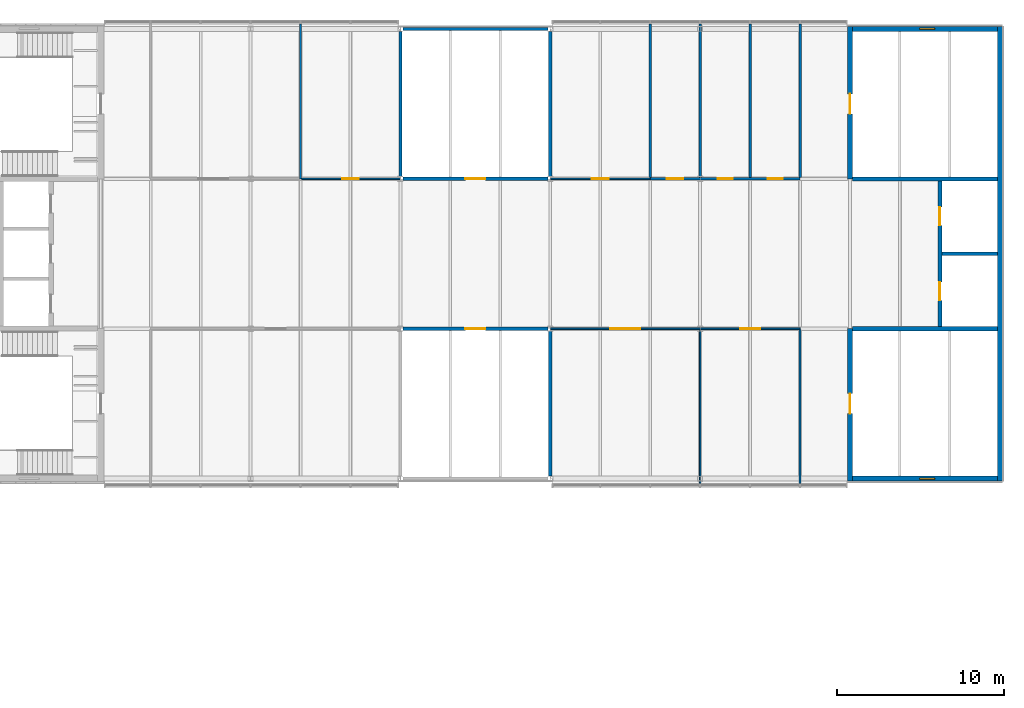
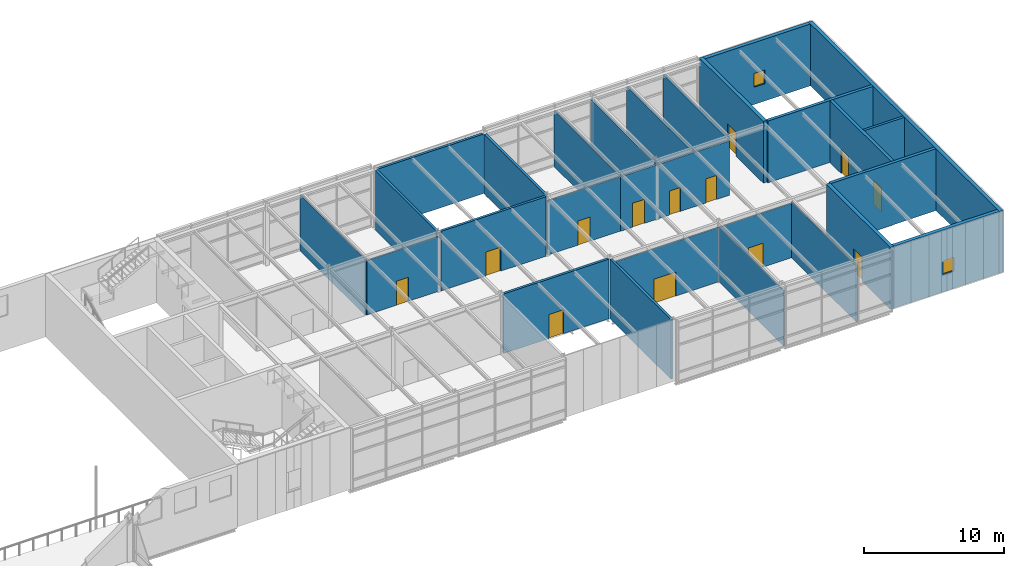
# One storey, part 39 of 46: 26 walls, 13 doors, 2 windows, 15 openings.
"""IFC4 building model written with IfcOpenShell, lengths in metres."""

from ifc_helpers import new_model, si_unit, direction, frame, frame_2d, origin, place, context, subcontext, project, spatial, rectangle, extrude, material, layer, layer_set, type_object, element, fill, save


model = new_model("IFC4")

# Units and contexts
model_context = context("Model", 3, precision=1e-05, world=origin(), true_north=direction((0.0, 1.0)))
body_context = subcontext(model_context, "Body", "Model", "MODEL_VIEW")
ifc_project = project(units=[si_unit("LENGTHUNIT", "METRE"), si_unit("AREAUNIT", "SQUARE_METRE"), si_unit("VOLUMEUNIT", "CUBIC_METRE"), si_unit("PLANEANGLEUNIT", "RADIAN"), si_unit("MASSUNIT", "GRAM", prefix="KILO")], contexts=[model_context])

# Site, building, storey
site_placement = place(None, origin())
site = spatial("IfcSite", under=ifc_project, at=site_placement, CompositionType="ELEMENT")
building_placement = place(site_placement, origin())
building = spatial("IfcBuilding", under=site, at=building_placement, Name="Azimuth Sports and Learning Centre", CompositionType="ELEMENT")
storey_placement = place(building_placement, frame((0.0, 0.0, 21.60009765625)))
storey = spatial("IfcBuildingStorey", under=building, at=storey_placement, Name="L04", CompositionType="ELEMENT", Elevation=21.60009765625)

# Wall
ifc_material_1 = material(Name="Dense masonry blockwork", Category="masonry")
ifc_layer_1 = layer(ifc_material_1, 0.199951171875)
ifc_layer_set_1 = layer_set([ifc_layer_1], Name="Dense masonry blockwork")
wall_type_1 = type_object("IfcWallType", Name="Blockwork wall 200 EI 120", PredefinedType="SOLIDWALL", material=ifc_layer_set_1)
wall_1_placement = place(storey_placement, frame((167.52490234375, 103.5, 0.0), z_axis=(0.0, 0.0, 1.0), x_axis=(1.0, 0.0, 0.0)))
element("IfcWall", 1, at=wall_1_placement, inside=storey, type_object=wall_type_1, Name="SD-EW-1-L04", PredefinedType="SOLIDWALL", context=body_context, shape_type="SweptSolid", body=[
    extrude(rectangle(XDim=3.3251953125, YDim=0.199951171875, at=frame_2d((1.66259765625, 0.0))), origin(), (0.0, 0.0, 1.0), 5.39990234375),
])

# Wall, openings, doors
ifc_material_2 = material(Name="Gypsum board on steel studs", Category="steel")
ifc_layer_2 = layer(ifc_material_2, 0.10009765625)
ifc_layer_set_2 = layer_set([ifc_layer_2], Name="Gypsum board on steel studs")
wall_type_2 = type_object("IfcWallType", Name="Partition 100 EI 30", PredefinedType="PARTITIONING", material=ifc_layer_set_2)
wall_2_placement = place(storey_placement, frame((144.0, 99.0, 0.0), z_axis=(0.0, 0.0, 1.0), x_axis=(1.0, 0.0, 0.0)))
wall_2 = element("IfcWall", 2, at=wall_2_placement, inside=storey, type_object=wall_type_2, Name="Partition 100 EI 30", PredefinedType="PARTITIONING", context=body_context, shape_type="SweptSolid", body=[
    extrude(rectangle(XDim=15.0, YDim=0.10009765625, at=frame_2d((7.5, 0.0))), origin(), (0.0, 0.0, 1.0), 4.75),
])
opening_1_placement = place(wall_2_placement, frame((11.39990234375, 0.0, 0.0)))
opening_1 = element("IfcOpeningElement", 3, at=opening_1_placement, cuts=wall_2, Name="Opening D04-039", PredefinedType="OPENING", context=body_context, shape_type="SweptSolid", body=[
    extrude(rectangle(XDim=1.199951171875, YDim=2.10009765625, at=frame_2d((0.60009765625, 1.050048828125))), frame((0.0, 0.06103515625, 0.0), z_axis=(0.0, -1.0, 0.0), x_axis=(1.0, 0.0, 0.0)), (0.0, 0.0, 1.0), 0.1220703125),
])
opening_2_placement = place(wall_2_placement, frame((3.60009765625, 0.0, 0.0)))
opening_2 = element("IfcOpeningElement", 4, at=opening_2_placement, cuts=wall_2, Name="Opening D04-040", PredefinedType="OPENING", context=body_context, shape_type="SweptSolid", body=[
    extrude(rectangle(XDim=1.800048828125, YDim=2.10009765625, at=frame_2d((0.89990234375, 1.050048828125))), frame((0.0, 0.06103515625, 0.0), z_axis=(0.0, -1.0, 0.0), x_axis=(1.0, 0.0, 0.0)), (0.0, 0.0, 1.0), 0.1220703125),
])
ifc_material_3 = material(Name="Timber fire door set", Category="wood")
door_type_1 = type_object("IfcDoorType", Name="Timber door double 1800x2100 FD30S", OperationType="DOUBLE_DOOR_SINGLE_SWING", PredefinedType="DOOR", material=ifc_material_3)
door_1_placement = place(opening_2_placement, frame((1.800048828125, 0.0, 0.0), z_axis=(0.0, 0.0, 1.0), x_axis=(-1.0, 0.0, 0.0)))
door_1 = element("IfcDoor", 5, at=door_1_placement, inside=storey, type_object=door_type_1, Name="Door D04-040", OperationType="DOUBLE_DOOR_SINGLE_SWING", OverallHeight=2.10009765625, OverallWidth=1.800048828125, PredefinedType="DOOR", context=body_context, shape_type="SweptSolid", body=[
    extrude(rectangle(XDim=1.800048828125, YDim=2.10009765625, at=frame_2d((0.89990234375, 1.050048828125))), frame((0.0, 0.02490234375, 0.0), z_axis=(0.0, -1.0, 0.0), x_axis=(1.0, 0.0, 0.0)), (0.0, 0.0, 1.0), 0.050048828125),
])
fill(opening_2, door_1)
ifc_material_4 = material(Name="Timber fire door set", Category="wood")
door_type_2 = type_object("IfcDoorType", Name="Timber door single 1200x2100 FD30S", OperationType="NOTDEFINED", PredefinedType="DOOR", material=ifc_material_4)
door_2_placement = place(opening_1_placement, frame((1.199951171875, 0.0, 0.0), z_axis=(0.0, 0.0, 1.0), x_axis=(-1.0, 0.0, 0.0)))
door_2 = element("IfcDoor", 6, at=door_2_placement, inside=storey, type_object=door_type_2, Name="Door D04-039", OperationType="SINGLE_SWING_RIGHT", OverallHeight=2.10009765625, OverallWidth=1.199951171875, PredefinedType="DOOR", context=body_context, shape_type="SweptSolid", body=[
    extrude(rectangle(XDim=1.199951171875, YDim=2.10009765625, at=frame_2d((0.60009765625, 1.050048828125))), frame((0.0, 0.02490234375, 0.0), z_axis=(0.0, -1.0, 0.0), x_axis=(1.0, 0.0, 0.0)), (0.0, 0.0, 1.0), 0.050048828125),
])
fill(opening_1, door_2)

# Wall, opening, door
wall_3_placement = place(storey_placement, frame((129.0625, 108.0, 0.0), z_axis=(0.0, 0.0, 1.0), x_axis=(1.0, 0.0, 0.0)))
wall_3 = element("IfcWall", 7, at=wall_3_placement, inside=storey, type_object=wall_type_2, Name="Partition 100 EI 30", PredefinedType="PARTITIONING", context=body_context, shape_type="SweptSolid", body=[
    extrude(rectangle(XDim=5.9375, YDim=0.10009765625, at=frame_2d((2.96875, 0.0))), origin(), (0.0, 0.0, 1.0), 4.75),
])
opening_3_placement = place(wall_3_placement, frame((2.4375, 0.0, 0.0)))
opening_3 = element("IfcOpeningElement", 8, at=opening_3_placement, cuts=wall_3, Name="Opening D04-046", PredefinedType="OPENING", context=body_context, shape_type="SweptSolid", body=[
    extrude(rectangle(XDim=1.0, YDim=2.10009765625, at=frame_2d((0.5, 1.050048828125))), frame((0.0, 0.06103515625, 0.0), z_axis=(0.0, -1.0, 0.0), x_axis=(1.0, 0.0, 0.0)), (0.0, 0.0, 1.0), 0.1220703125),
])
ifc_material_5 = material(Name="Timber fire door set", Category="wood")
door_type_3 = type_object("IfcDoorType", Name="Timber door single 1000x2100 FD30S", OperationType="NOTDEFINED", PredefinedType="DOOR", material=ifc_material_5)
door_3_placement = place(opening_3_placement, origin())
door_3 = element("IfcDoor", 9, at=door_3_placement, inside=storey, type_object=door_type_3, Name="Door D04-046", OperationType="SINGLE_SWING_LEFT", OverallHeight=2.10009765625, OverallWidth=1.0, PredefinedType="DOOR", context=body_context, shape_type="SweptSolid", body=[
    extrude(rectangle(XDim=1.0, YDim=2.10009765625, at=frame_2d((0.5, 1.050048828125))), frame((0.0, 0.02490234375, 0.0), z_axis=(0.0, -1.0, 0.0), x_axis=(1.0, 0.0, 0.0)), (0.0, 0.0, 1.0), 0.050048828125),
])
fill(opening_3, door_3)

wall_4_placement = place(storey_placement, frame((144.0, 108.0, 0.0), z_axis=(0.0, 0.0, 1.0), x_axis=(1.0, 0.0, 0.0)))
wall_4 = element("IfcWall", 10, at=wall_4_placement, inside=storey, type_object=wall_type_2, Name="Partition 100 EI 30", PredefinedType="PARTITIONING", context=body_context, shape_type="SweptSolid", body=[
    extrude(rectangle(XDim=6.0, YDim=0.10009765625, at=frame_2d((3.0, 0.0))), origin(), (0.0, 0.0, 1.0), 4.75),
])
opening_4_placement = place(wall_4_placement, frame((2.5, 0.0, 0.0)))
opening_4 = element("IfcOpeningElement", 11, at=opening_4_placement, cuts=wall_4, Name="Opening D04-045", PredefinedType="OPENING", context=body_context, shape_type="SweptSolid", body=[
    extrude(rectangle(XDim=1.0, YDim=2.10009765625, at=frame_2d((0.5, 1.050048828125))), frame((0.0, 0.06103515625, 0.0), z_axis=(0.0, -1.0, 0.0), x_axis=(1.0, 0.0, 0.0)), (0.0, 0.0, 1.0), 0.1220703125),
])
door_4_placement = place(opening_4_placement, origin())
door_4 = element("IfcDoor", 12, at=door_4_placement, inside=storey, type_object=door_type_3, Name="Door D04-045", OperationType="SINGLE_SWING_LEFT", OverallHeight=2.10009765625, OverallWidth=1.0, PredefinedType="DOOR", context=body_context, shape_type="SweptSolid", body=[
    extrude(rectangle(XDim=1.0, YDim=2.10009765625, at=frame_2d((0.5, 1.050048828125))), frame((0.0, 0.02490234375, 0.0), z_axis=(0.0, -1.0, 0.0), x_axis=(1.0, 0.0, 0.0)), (0.0, 0.0, 1.0), 0.050048828125),
])
fill(opening_4, door_4)

# Walls
wall_5_placement = place(storey_placement, frame((153.0, 89.699951171875, 0.0), z_axis=(0.0, 0.0, 1.0), x_axis=(0.0, 1.0, 0.0)))
element("IfcWall", 13, at=wall_5_placement, inside=storey, type_object=wall_type_2, Name="Partition 100 EI 30", PredefinedType="PARTITIONING", context=body_context, shape_type="SweptSolid", body=[
    extrude(rectangle(XDim=9.25, YDim=0.10009765625, at=frame_2d((4.625, 0.0))), origin(), (0.0, 0.0, 1.0), 4.83984375),
])
wall_6_placement = place(storey_placement, frame((159.0, 89.699951171875, 0.0), z_axis=(0.0, 0.0, 1.0), x_axis=(0.0, 1.0, 0.0)))
element("IfcWall", 14, at=wall_6_placement, inside=storey, type_object=wall_type_2, Name="Partition 100 EI 30", PredefinedType="PARTITIONING", context=body_context, shape_type="SweptSolid", body=[
    extrude(rectangle(XDim=9.25, YDim=0.10009765625, at=frame_2d((4.625, 0.0))), origin(), (0.0, 0.0, 1.0), 4.89990234375),
])
ifc_material_6 = material(Name="Gypsum board on steel studs, acoustic", Category="steel")
ifc_layer_3 = layer(ifc_material_6, 0.125)
ifc_layer_set_3 = layer_set([ifc_layer_3], Name="Gypsum board on steel studs, acoustic")
wall_type_3 = type_object("IfcWallType", Name="Partition 125 EI 30", PredefinedType="PARTITIONING", material=ifc_layer_set_3)
wall_7_placement = place(storey_placement, frame((129.0, 108.0, 0.0), z_axis=(0.0, 0.0, 1.0), x_axis=(0.0, 1.0, 0.0)))
element("IfcWall", 15, at=wall_7_placement, inside=storey, type_object=wall_type_3, Name="Partition 125 EI 30", PredefinedType="PARTITIONING", context=body_context, shape_type="SweptSolid", body=[
    extrude(rectangle(XDim=9.300048828125, YDim=0.125, at=frame_2d((4.64990234375, 0.0))), origin(), (0.0, 0.0, 1.0), 4.89990234375),
])

# Wall, openings, doors
ifc_material_7 = material(Name="Lightweight blockwork, rendered", Category="masonry")
ifc_layer_4 = layer(ifc_material_7, 0.14990234375)
ifc_layer_set_4 = layer_set([ifc_layer_4], Name="Lightweight blockwork, rendered")
wall_type_4 = type_object("IfcWallType", Name="Partition 150 EI 60", PredefinedType="PARTITIONING", material=ifc_layer_set_4)
wall_8_placement = place(storey_placement, frame((150.0, 108.0, 0.0), z_axis=(0.0, 0.0, 1.0), x_axis=(1.0, 0.0, 0.0)))
wall_8 = element("IfcWall", 16, at=wall_8_placement, inside=storey, type_object=wall_type_4, Name="Partition 150 EI 60", PredefinedType="PARTITIONING", context=body_context, shape_type="SweptSolid", body=[
    extrude(rectangle(XDim=9.0, YDim=0.14990234375, at=frame_2d((4.5, 0.0))), origin(), (0.0, 0.0, 1.0), 4.75),
])
opening_5_placement = place(wall_8_placement, frame((7.050048828125, 0.0, 0.0)))
opening_5 = element("IfcOpeningElement", 17, at=opening_5_placement, cuts=wall_8, Name="Opening D04-042", PredefinedType="OPENING", context=body_context, shape_type="SweptSolid", body=[
    extrude(rectangle(XDim=0.89990234375, YDim=2.10009765625, at=frame_2d((0.449951171875, 1.050048828125))), frame((0.0, 0.0859375, 0.0), z_axis=(0.0, -1.0, 0.0), x_axis=(1.0, 0.0, 0.0)), (0.0, 0.0, 1.0), 0.171875),
])
opening_6_placement = place(wall_8_placement, frame((4.050048828125, 0.0, 0.0)))
opening_6 = element("IfcOpeningElement", 18, at=opening_6_placement, cuts=wall_8, Name="Opening D04-043", PredefinedType="OPENING", context=body_context, shape_type="SweptSolid", body=[
    extrude(rectangle(XDim=0.89990234375, YDim=2.10009765625, at=frame_2d((0.449951171875, 1.050048828125))), frame((0.0, 0.0859375, 0.0), z_axis=(0.0, -1.0, 0.0), x_axis=(1.0, 0.0, 0.0)), (0.0, 0.0, 1.0), 0.171875),
])
opening_7_placement = place(wall_8_placement, frame((1.0, 0.0, 0.0)))
opening_7 = element("IfcOpeningElement", 19, at=opening_7_placement, cuts=wall_8, Name="Opening D04-044", PredefinedType="OPENING", context=body_context, shape_type="SweptSolid", body=[
    extrude(rectangle(XDim=1.0, YDim=2.10009765625, at=frame_2d((0.5, 1.050048828125))), frame((0.0, 0.0859375, 0.0), z_axis=(0.0, -1.0, 0.0), x_axis=(1.0, 0.0, 0.0)), (0.0, 0.0, 1.0), 0.171875),
])
ifc_material_8 = material(Name="Timber fire door set", Category="wood")
door_type_4 = type_object("IfcDoorType", Name="Timber door single 1000x2100 FD60", OperationType="NOTDEFINED", PredefinedType="DOOR", material=ifc_material_8)
door_5_placement = place(opening_7_placement, origin())
door_5 = element("IfcDoor", 20, at=door_5_placement, inside=storey, type_object=door_type_4, Name="Door D04-044", OperationType="SINGLE_SWING_LEFT", OverallHeight=2.10009765625, OverallWidth=1.0, PredefinedType="DOOR", context=body_context, shape_type="SweptSolid", body=[
    extrude(rectangle(XDim=1.0, YDim=2.10009765625, at=frame_2d((0.5, 1.050048828125))), frame((0.0, 0.02490234375, 0.0), z_axis=(0.0, -1.0, 0.0), x_axis=(1.0, 0.0, 0.0)), (0.0, 0.0, 1.0), 0.050048828125),
])
fill(opening_7, door_5)
ifc_material_9 = material(Name="Timber fire door set", Category="wood")
door_type_5 = type_object("IfcDoorType", Name="Timber door single 900x2100 FD60", OperationType="NOTDEFINED", PredefinedType="DOOR", material=ifc_material_9)
door_6_placement = place(opening_5_placement, origin())
door_6 = element("IfcDoor", 21, at=door_6_placement, inside=storey, type_object=door_type_5, Name="Door D04-042", OperationType="SINGLE_SWING_LEFT", OverallHeight=2.10009765625, OverallWidth=0.89990234375, PredefinedType="DOOR", context=body_context, shape_type="SweptSolid", body=[
    extrude(rectangle(XDim=0.89990234375, YDim=2.10009765625, at=frame_2d((0.449951171875, 1.050048828125))), frame((0.0, 0.02490234375, 0.0), z_axis=(0.0, -1.0, 0.0), x_axis=(1.0, 0.0, 0.0)), (0.0, 0.0, 1.0), 0.050048828125),
])
fill(opening_5, door_6)
door_7_placement = place(opening_6_placement, origin())
door_7 = element("IfcDoor", 22, at=door_7_placement, inside=storey, type_object=door_type_5, Name="Door D04-043", OperationType="SINGLE_SWING_LEFT", OverallHeight=2.10009765625, OverallWidth=0.89990234375, PredefinedType="DOOR", context=body_context, shape_type="SweptSolid", body=[
    extrude(rectangle(XDim=0.89990234375, YDim=2.10009765625, at=frame_2d((0.449951171875, 1.050048828125))), frame((0.0, 0.02490234375, 0.0), z_axis=(0.0, -1.0, 0.0), x_axis=(1.0, 0.0, 0.0)), (0.0, 0.0, 1.0), 0.050048828125),
])
fill(opening_6, door_7)

# Walls
wall_9_placement = place(storey_placement, frame((150.0, 108.074951171875, 0.0), z_axis=(0.0, 0.0, 1.0), x_axis=(0.0, 1.0, 0.0)))
element("IfcWall", 23, at=wall_9_placement, inside=storey, type_object=wall_type_4, Name="Partition 150 EI 60", PredefinedType="PARTITIONING", context=body_context, shape_type="SweptSolid", body=[
    extrude(rectangle(XDim=9.22509765625, YDim=0.14990234375, at=frame_2d((4.612548828125, 0.0))), origin(), (0.0, 0.0, 1.0), 4.89990234375),
])
wall_10_placement = place(storey_placement, frame((153.0, 108.074951171875, 0.0), z_axis=(0.0, 0.0, 1.0), x_axis=(0.0, 1.0, 0.0)))
element("IfcWall", 24, at=wall_10_placement, inside=storey, type_object=wall_type_4, Name="Partition 150 EI 60", PredefinedType="PARTITIONING", context=body_context, shape_type="SweptSolid", body=[
    extrude(rectangle(XDim=9.22509765625, YDim=0.14990234375, at=frame_2d((4.612548828125, 0.0))), origin(), (0.0, 0.0, 1.0), 4.83984375),
])
for number, where, z_axis, x_axis, name in (
    (25, (156.0, 108.074951171875, 0.0), (0.0, 0.0, 1.0), (0.0, 1.0, 0.0), "Partition 150 EI 60"),
    (26, (159.0, 108.074951171875, 0.0), (0.0, 0.0, 1.0), (0.0, 1.0, 0.0), "Partition 150 EI 60"),
):
    element("IfcWall", number, at=place(storey_placement, frame(where, z_axis=z_axis, x_axis=x_axis)), inside=storey, type_object=wall_type_4, Name=name, PredefinedType="PARTITIONING", context=body_context, shape_type="SweptSolid", body=[
        extrude(rectangle(XDim=9.22509765625, YDim=0.14990234375, at=frame_2d((4.612548828125, 0.0))), origin(), (0.0, 0.0, 1.0), 4.89990234375),
    ])

# Wall, opening, door
ifc_material_10 = material(Name="Concrete C40/50", Category="concrete")
ifc_layer_5 = layer(ifc_material_10, 0.199951171875)
ifc_layer_set_5 = layer_set([ifc_layer_5], Name="Concrete C40/50")
wall_type_5 = type_object("IfcWallType", Name="RC cell wall 200 EI 120", PredefinedType="SHEAR", material=ifc_layer_set_5)
wall_11_placement = place(storey_placement, frame((135.14990234375, 99.0, 0.0), z_axis=(0.0, 0.0, 1.0), x_axis=(1.0, 0.0, 0.0)))
wall_11 = element("IfcWall", 27, at=wall_11_placement, inside=storey, type_object=wall_type_5, Name="CE-EM1-N-L04", PredefinedType="SHEAR", context=body_context, shape_type="SweptSolid", body=[
    extrude(rectangle(XDim=8.7001953125, YDim=0.199951171875, at=frame_2d((4.35009765625, 0.0))), origin(), (0.0, 0.0, 1.0), 5.199951171875),
])
opening_8_placement = place(wall_11_placement, frame((3.75, 0.0, 0.0)))
opening_8 = element("IfcOpeningElement", 28, at=opening_8_placement, cuts=wall_11, Name="Opening D04-011", PredefinedType="OPENING", context=body_context, shape_type="SweptSolid", body=[
    extrude(rectangle(XDim=1.199951171875, YDim=2.10009765625, at=frame_2d((0.60009765625, 1.050048828125))), frame((0.0, 0.11083984375, 0.0), z_axis=(0.0, -1.0, 0.0), x_axis=(1.0, 0.0, 0.0)), (0.0, 0.0, 1.0), 0.221923828125),
])
ifc_material_11 = material(Name="Steel", Category="steel")
door_type_6 = type_object("IfcDoorType", Name="Stair fire door 1200 x 2100", OperationType="NOTDEFINED", PredefinedType="DOOR", material=ifc_material_11)
door_8_placement = place(opening_8_placement, origin())
door_8 = element("IfcDoor", 29, at=door_8_placement, inside=storey, type_object=door_type_6, Name="Stair door EM1 L04", OperationType="SINGLE_SWING_RIGHT", OverallHeight=2.10009765625, OverallWidth=1.199951171875, PredefinedType="DOOR", context=body_context, shape_type="SweptSolid", body=[
    extrude(rectangle(XDim=1.199951171875, YDim=2.10009765625, at=frame_2d((0.60009765625, 1.050048828125))), frame((0.0, 0.02490234375, 0.0), z_axis=(0.0, -1.0, 0.0), x_axis=(1.0, 0.0, 0.0)), (0.0, 0.0, 1.0), 0.050048828125),
])
fill(opening_8, door_8)

# Wall
wall_12_placement = place(storey_placement, frame((144.0, 90.14990234375, 0.0), z_axis=(0.0, 0.0, 1.0), x_axis=(0.0, 1.0, 0.0)))
element("IfcWall", 30, at=wall_12_placement, inside=storey, type_object=wall_type_5, Name="CE-EM1-E-L04", PredefinedType="SHEAR", context=body_context, shape_type="SweptSolid", body=[
    extrude(rectangle(XDim=8.7001953125, YDim=0.199951171875, at=frame_2d((4.35009765625, 0.0))), origin(), (0.0, 0.0, 1.0), 5.199951171875),
])

# Wall, opening, door
wall_13_placement = place(storey_placement, frame((135.14990234375, 108.0, 0.0), z_axis=(0.0, 0.0, 1.0), x_axis=(1.0, 0.0, 0.0)))
wall_13 = element("IfcWall", 31, at=wall_13_placement, inside=storey, type_object=wall_type_5, Name="CE-EM2-S-L04", PredefinedType="SHEAR", context=body_context, shape_type="SweptSolid", body=[
    extrude(rectangle(XDim=8.7001953125, YDim=0.199951171875, at=frame_2d((4.35009765625, 0.0))), origin(), (0.0, 0.0, 1.0), 5.199951171875),
])
opening_9_placement = place(wall_13_placement, frame((3.75, 0.0, 0.0)))
opening_9 = element("IfcOpeningElement", 32, at=opening_9_placement, cuts=wall_13, Name="Opening D04-012", PredefinedType="OPENING", context=body_context, shape_type="SweptSolid", body=[
    extrude(rectangle(XDim=1.199951171875, YDim=2.10009765625, at=frame_2d((0.60009765625, 1.050048828125))), frame((0.0, 0.11083984375, 0.0), z_axis=(0.0, -1.0, 0.0), x_axis=(1.0, 0.0, 0.0)), (0.0, 0.0, 1.0), 0.221923828125),
])
door_9_placement = place(opening_9_placement, frame((1.199951171875, 0.0, 0.0), z_axis=(0.0, 0.0, 1.0), x_axis=(-1.0, 0.0, 0.0)))
door_9 = element("IfcDoor", 33, at=door_9_placement, inside=storey, type_object=door_type_6, Name="Stair door EM2 L04", OperationType="SINGLE_SWING_LEFT", OverallHeight=2.10009765625, OverallWidth=1.199951171875, PredefinedType="DOOR", context=body_context, shape_type="SweptSolid", body=[
    extrude(rectangle(XDim=1.199951171875, YDim=2.10009765625, at=frame_2d((0.60009765625, 1.050048828125))), frame((0.0, 0.02490234375, 0.0), z_axis=(0.0, -1.0, 0.0), x_axis=(1.0, 0.0, 0.0)), (0.0, 0.0, 1.0), 0.050048828125),
])
fill(opening_9, door_9)

# Walls
for number, where, z_axis, x_axis, name in (
    (34, (135.0, 108.14990234375, 0.0), (0.0, 0.0, 1.0), (0.0, 1.0, 0.0), "CE-EM2-W-L04"),
    (35, (144.0, 108.14990234375, 0.0), (0.0, 0.0, 1.0), (0.0, 1.0, 0.0), "CE-EM2-E-L04"),
):
    element("IfcWall", number, at=place(storey_placement, frame(where, z_axis=z_axis, x_axis=x_axis)), inside=storey, type_object=wall_type_5, Name=name, PredefinedType="SHEAR", context=body_context, shape_type="SweptSolid", body=[
        extrude(rectangle(XDim=8.7001953125, YDim=0.199951171875, at=frame_2d((4.35009765625, 0.0))), origin(), (0.0, 0.0, 1.0), 5.199951171875),
    ])
ifc_material_12 = material(Name="Concrete C40/50", Category="concrete")
ifc_layer_6 = layer(ifc_material_12, 0.25)
ifc_layer_set_6 = layer_set([ifc_layer_6], Name="Concrete C40/50")
wall_type_6 = type_object("IfcWallType", Name="RC core wall 250", PredefinedType="SHEAR", material=ifc_layer_set_6)
for number, where, z_axis, x_axis, name in (
    (36, (162.14990234375, 99.0, 0.0), (0.0, 0.0, 1.0), (1.0, 0.0, 0.0), "Core wall EW D1 L04"),
    (37, (162.14990234375, 108.0, 0.0), (0.0, 0.0, 1.0), (1.0, 0.0, 0.0), "Core wall EW D2 L04"),
):
    element("IfcWall", number, at=place(storey_placement, frame(where, z_axis=z_axis, x_axis=x_axis)), inside=storey, type_object=wall_type_6, Name=name, PredefinedType="SHEAR", context=body_context, shape_type="SweptSolid", body=[
        extrude(rectangle(XDim=8.7001953125, YDim=0.25, at=frame_2d((4.35009765625, 0.0))), origin(), (0.0, 0.0, 1.0), 5.39990234375),
    ])

# Wall, openings, doors
wall_14_placement = place(storey_placement, frame((167.39990234375, 99.125, 0.0), z_axis=(0.0, 0.0, 1.0), x_axis=(0.0, 1.0, 0.0)))
wall_14 = element("IfcWall", 38, at=wall_14_placement, inside=storey, type_object=wall_type_6, Name="Core wall EW LB1 L04", PredefinedType="SHEAR", context=body_context, shape_type="SweptSolid", body=[
    extrude(rectangle(XDim=8.75, YDim=0.25, at=frame_2d((4.375, 0.0))), origin(), (0.0, 0.0, 1.0), 5.39990234375),
])
opening_10_placement = place(wall_14_placement, frame((1.574951171875, 0.0, 0.0)))
opening_10 = element("IfcOpeningElement", 39, at=opening_10_placement, cuts=wall_14, Name="Opening D04-027", PredefinedType="OPENING", context=body_context, shape_type="SweptSolid", body=[
    extrude(rectangle(XDim=1.10009765625, YDim=2.10009765625, at=frame_2d((0.550048828125, 1.050048828125))), frame((0.0, 0.135986328125, 0.0), z_axis=(0.0, -1.0, 0.0), x_axis=(1.0, 0.0, 0.0)), (0.0, 0.0, 1.0), 0.27197265625),
])
opening_11_placement = place(wall_14_placement, frame((6.074951171875, 0.0, 0.0)))
opening_11 = element("IfcOpeningElement", 40, at=opening_11_placement, cuts=wall_14, Name="Opening D04-028", PredefinedType="OPENING", context=body_context, shape_type="SweptSolid", body=[
    extrude(rectangle(XDim=1.10009765625, YDim=2.10009765625, at=frame_2d((0.550048828125, 1.050048828125))), frame((0.0, 0.135986328125, 0.0), z_axis=(0.0, -1.0, 0.0), x_axis=(1.0, 0.0, 0.0)), (0.0, 0.0, 1.0), 0.27197265625),
])
ifc_material_13 = material(Name="Stainless steel", Category="steel")
door_type_7 = type_object("IfcDoorType", Name="Lift landing door 1100 x 2100", OperationType="DOUBLE_DOOR_SLIDING", PredefinedType="DOOR", material=ifc_material_13)
door_10_placement = place(opening_10_placement, origin())
door_10 = element("IfcDoor", 41, at=door_10_placement, inside=storey, type_object=door_type_7, Name="Landing door LEW1 L04", OperationType="DOUBLE_DOOR_SLIDING", OverallHeight=2.10009765625, OverallWidth=1.10009765625, PredefinedType="DOOR", context=body_context, shape_type="SweptSolid", body=[
    extrude(rectangle(XDim=1.10009765625, YDim=2.10009765625, at=frame_2d((0.550048828125, 1.050048828125))), frame((0.0, 0.02490234375, 0.0), z_axis=(0.0, -1.0, 0.0), x_axis=(1.0, 0.0, 0.0)), (0.0, 0.0, 1.0), 0.050048828125),
])
fill(opening_10, door_10)
door_11_placement = place(opening_11_placement, origin())
door_11 = element("IfcDoor", 42, at=door_11_placement, inside=storey, type_object=door_type_7, Name="Landing door LEW2 L04", OperationType="DOUBLE_DOOR_SLIDING", OverallHeight=2.10009765625, OverallWidth=1.10009765625, PredefinedType="DOOR", context=body_context, shape_type="SweptSolid", body=[
    extrude(rectangle(XDim=1.10009765625, YDim=2.10009765625, at=frame_2d((0.550048828125, 1.050048828125))), frame((0.0, 0.02490234375, 0.0), z_axis=(0.0, -1.0, 0.0), x_axis=(1.0, 0.0, 0.0)), (0.0, 0.0, 1.0), 0.050048828125),
])
fill(opening_11, door_11)

# Wall, opening, door
ifc_material_14 = material(Name="Concrete C40/50", Category="concrete")
ifc_layer_7 = layer(ifc_material_14, 0.300048828125)
ifc_layer_set_7 = layer_set([ifc_layer_7], Name="Concrete C40/50")
wall_type_7 = type_object("IfcWallType", Name="RC core wall 300", PredefinedType="SHEAR", material=ifc_layer_set_7)
wall_15_placement = place(storey_placement, frame((162.0, 89.85009765625, 0.0), z_axis=(0.0, 0.0, 1.0), x_axis=(0.0, 1.0, 0.0)))
wall_15 = element("IfcWall", 43, at=wall_15_placement, inside=storey, type_object=wall_type_7, Name="Core wall EW WS L04", PredefinedType="SHEAR", context=body_context, shape_type="SweptSolid", body=[
    extrude(rectangle(XDim=9.14990234375, YDim=0.300048828125, at=frame_2d((4.574951171875, 0.0))), origin(), (0.0, 0.0, 1.0), 5.39990234375),
])
opening_12_placement = place(wall_15_placement, frame((4.050048828125, 0.0, 0.0)))
opening_12 = element("IfcOpeningElement", 44, at=opening_12_placement, cuts=wall_15, Name="Opening D04-007", PredefinedType="OPENING", context=body_context, shape_type="SweptSolid", body=[
    extrude(rectangle(XDim=1.199951171875, YDim=2.10009765625, at=frame_2d((0.60009765625, 1.050048828125))), frame((0.0, 0.1611328125, 0.0), z_axis=(0.0, -1.0, 0.0), x_axis=(1.0, 0.0, 0.0)), (0.0, 0.0, 1.0), 0.322021484375),
])
door_12_placement = place(opening_12_placement, origin())
door_12 = element("IfcDoor", 45, at=door_12_placement, inside=storey, type_object=door_type_6, Name="Stair door EW1 L04", OperationType="SINGLE_SWING_RIGHT", OverallHeight=2.10009765625, OverallWidth=1.199951171875, PredefinedType="DOOR", context=body_context, shape_type="SweptSolid", body=[
    extrude(rectangle(XDim=1.199951171875, YDim=2.10009765625, at=frame_2d((0.60009765625, 1.050048828125))), frame((0.0, 0.02490234375, 0.0), z_axis=(0.0, -1.0, 0.0), x_axis=(1.0, 0.0, 0.0)), (0.0, 0.0, 1.0), 0.050048828125),
])
fill(opening_12, door_12)

wall_16_placement = place(storey_placement, frame((162.0, 108.0, 0.0), z_axis=(0.0, 0.0, 1.0), x_axis=(0.0, 1.0, 0.0)))
wall_16 = element("IfcWall", 46, at=wall_16_placement, inside=storey, type_object=wall_type_7, Name="Core wall EW WN L04", PredefinedType="SHEAR", context=body_context, shape_type="SweptSolid", body=[
    extrude(rectangle(XDim=9.14990234375, YDim=0.300048828125, at=frame_2d((4.574951171875, 0.0))), origin(), (0.0, 0.0, 1.0), 5.39990234375),
])
opening_13_placement = place(wall_16_placement, frame((3.89990234375, 0.0, 0.0)))
opening_13 = element("IfcOpeningElement", 47, at=opening_13_placement, cuts=wall_16, Name="Opening D04-008", PredefinedType="OPENING", context=body_context, shape_type="SweptSolid", body=[
    extrude(rectangle(XDim=1.199951171875, YDim=2.10009765625, at=frame_2d((0.60009765625, 1.050048828125))), frame((0.0, 0.1611328125, 0.0), z_axis=(0.0, -1.0, 0.0), x_axis=(1.0, 0.0, 0.0)), (0.0, 0.0, 1.0), 0.322021484375),
])
door_13_placement = place(opening_13_placement, origin())
door_13 = element("IfcDoor", 48, at=door_13_placement, inside=storey, type_object=door_type_6, Name="Stair door EW2 L04", OperationType="SINGLE_SWING_LEFT", OverallHeight=2.10009765625, OverallWidth=1.199951171875, PredefinedType="DOOR", context=body_context, shape_type="SweptSolid", body=[
    extrude(rectangle(XDim=1.199951171875, YDim=2.10009765625, at=frame_2d((0.60009765625, 1.050048828125))), frame((0.0, 0.02490234375, 0.0), z_axis=(0.0, -1.0, 0.0), x_axis=(1.0, 0.0, 0.0)), (0.0, 0.0, 1.0), 0.050048828125),
])
fill(opening_13, door_13)

# Wall
ifc_material_15 = material(Name="Concrete C40/50", Category="concrete")
ifc_layer_8 = layer(ifc_material_15, 0.199951171875)
ifc_layer_set_8 = layer_set([ifc_layer_8], Name="Concrete C40/50")
wall_type_8 = type_object("IfcWallType", Name="RC external cell wall 200 EI 120", PredefinedType="SHEAR", material=ifc_layer_set_8)
wall_17_placement = place(storey_placement, frame((135.14990234375, 117.0, 0.0), z_axis=(0.0, 0.0, 1.0), x_axis=(1.0, 0.0, 0.0)))
element("IfcWall", 49, at=wall_17_placement, inside=storey, type_object=wall_type_8, Name="CE-EM2-N-L04", PredefinedType="SHEAR", context=body_context, shape_type="SweptSolid", body=[
    extrude(rectangle(XDim=8.7001953125, YDim=0.199951171875, at=frame_2d((4.35009765625, 0.0))), origin(), (0.0, 0.0, 1.0), 5.199951171875),
])

# Wall, opening, window
ifc_material_16 = material(Name="Concrete C40/50", Category="concrete")
ifc_layer_9 = layer(ifc_material_16, 0.300048828125)
ifc_layer_set_9 = layer_set([ifc_layer_9], Name="Concrete C40/50")
wall_type_9 = type_object("IfcWallType", Name="RC external core wall 300", PredefinedType="SHEAR", material=ifc_layer_set_9)
wall_18_placement = place(storey_placement, frame((162.14990234375, 90.0, 0.0), z_axis=(0.0, 0.0, 1.0), x_axis=(1.0, 0.0, 0.0)))
wall_18 = element("IfcWall", 50, at=wall_18_placement, inside=storey, type_object=wall_type_9, Name="Core wall EW S L04", PredefinedType="SHEAR", context=body_context, shape_type="SweptSolid", body=[
    extrude(rectangle(XDim=8.7001953125, YDim=0.300048828125, at=frame_2d((4.35009765625, 0.0))), origin(), (0.0, 0.0, 1.0), 5.39990234375),
])
opening_14_placement = place(wall_18_placement, frame((4.050048828125, 0.0, 1.5)))
opening_14 = element("IfcOpeningElement", 51, at=opening_14_placement, cuts=wall_18, Name="Opening W04-010", PredefinedType="OPENING", context=body_context, shape_type="SweptSolid", body=[
    extrude(rectangle(XDim=0.89990234375, YDim=1.199951171875, at=frame_2d((0.449951171875, 0.60009765625))), frame((0.0, 0.1611328125, 0.0), z_axis=(0.0, -1.0, 0.0), x_axis=(1.0, 0.0, 0.0)), (0.0, 0.0, 1.0), 0.322021484375),
])
ifc_material_17 = material(Name="Aluminium and glass", Category="aluminium")
window_type = type_object("IfcWindowType", Name="Stair window end core 900x1200", PartitioningType="SINGLE_PANEL", PredefinedType="WINDOW", material=ifc_material_17)
window_1_placement = place(opening_14_placement, origin())
window_1 = element("IfcWindow", 52, at=window_1_placement, inside=storey, type_object=window_type, Name="Window W04-010", OverallHeight=1.199951171875, OverallWidth=0.89990234375, PartitioningType="SINGLE_PANEL", PredefinedType="WINDOW", context=body_context, shape_type="SweptSolid", body=[
    extrude(rectangle(XDim=0.89990234375, YDim=1.199951171875, at=frame_2d((0.449951171875, 0.60009765625))), frame((0.0, 0.030029296875, 0.0), z_axis=(0.0, -1.0, 0.0), x_axis=(1.0, 0.0, 0.0)), (0.0, 0.0, 1.0), 0.06005859375),
])
fill(opening_14, window_1)

wall_19_placement = place(storey_placement, frame((162.14990234375, 117.0, 0.0), z_axis=(0.0, 0.0, 1.0), x_axis=(1.0, 0.0, 0.0)))
wall_19 = element("IfcWall", 53, at=wall_19_placement, inside=storey, type_object=wall_type_9, Name="Core wall EW N L04", PredefinedType="SHEAR", context=body_context, shape_type="SweptSolid", body=[
    extrude(rectangle(XDim=8.7001953125, YDim=0.300048828125, at=frame_2d((4.35009765625, 0.0))), origin(), (0.0, 0.0, 1.0), 5.39990234375),
])
opening_15_placement = place(wall_19_placement, frame((4.050048828125, 0.0, 1.5)))
opening_15 = element("IfcOpeningElement", 54, at=opening_15_placement, cuts=wall_19, Name="Opening W04-011", PredefinedType="OPENING", context=body_context, shape_type="SweptSolid", body=[
    extrude(rectangle(XDim=0.89990234375, YDim=1.199951171875, at=frame_2d((0.449951171875, 0.60009765625))), frame((0.0, 0.1611328125, 0.0), z_axis=(0.0, -1.0, 0.0), x_axis=(1.0, 0.0, 0.0)), (0.0, 0.0, 1.0), 0.322021484375),
])
window_2_placement = place(opening_15_placement, origin())
window_2 = element("IfcWindow", 55, at=window_2_placement, inside=storey, type_object=window_type, Name="Window W04-011", OverallHeight=1.199951171875, OverallWidth=0.89990234375, PartitioningType="SINGLE_PANEL", PredefinedType="WINDOW", context=body_context, shape_type="SweptSolid", body=[
    extrude(rectangle(XDim=0.89990234375, YDim=1.199951171875, at=frame_2d((0.449951171875, 0.60009765625))), frame((0.0, 0.030029296875, 0.0), z_axis=(0.0, -1.0, 0.0), x_axis=(1.0, 0.0, 0.0)), (0.0, 0.0, 1.0), 0.06005859375),
])
fill(opening_15, window_2)

# Wall
wall_20_placement = place(storey_placement, frame((171.0, 89.85009765625, 0.0), z_axis=(0.0, 0.0, 1.0), x_axis=(0.0, 1.0, 0.0)))
element("IfcWall", 56, at=wall_20_placement, inside=storey, type_object=wall_type_9, Name="Core wall EW E L04", PredefinedType="SHEAR", context=body_context, shape_type="SweptSolid", body=[
    extrude(rectangle(XDim=27.2998046875, YDim=0.300048828125, at=frame_2d((13.64990234375, 0.0))), origin(), (0.0, 0.0, 1.0), 5.39990234375),
])

save(model, "model.ifc")
